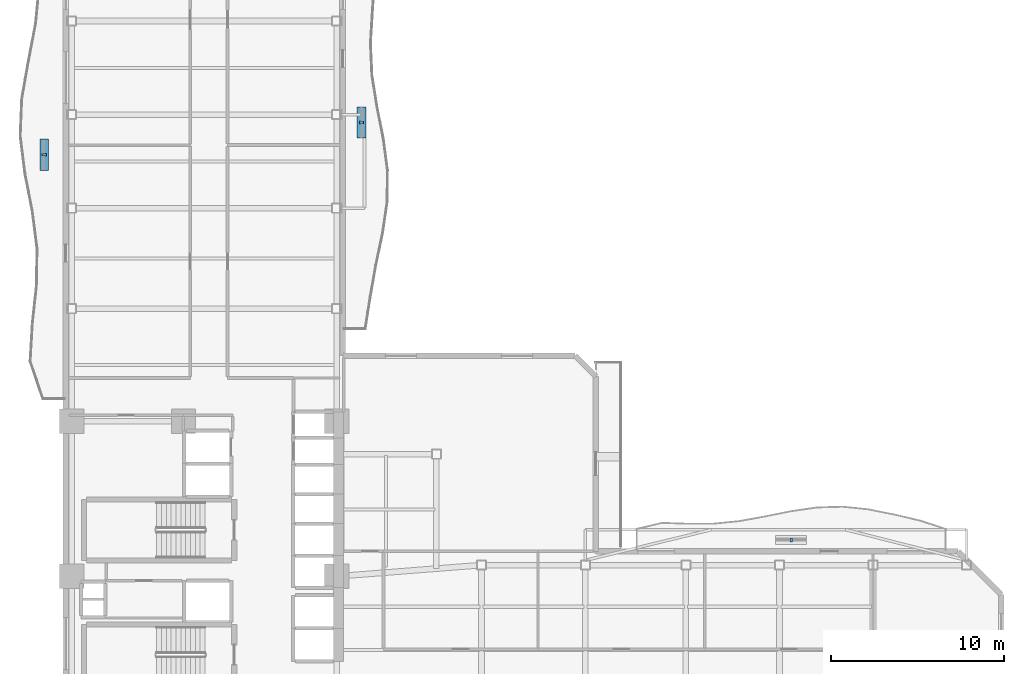
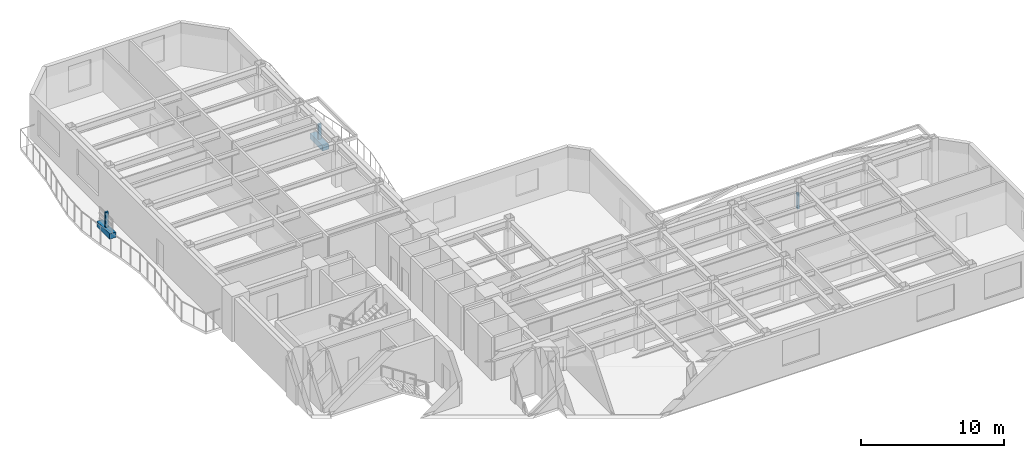
# One storey, part 7 of 10: 5 discrete accessories.
"""IFC4 building model written with IfcOpenShell, lengths in metres."""

import ifcopenshell
import ifcopenshell.guid

model = None  # the IFC model being written
_history = None  # IfcOwnerHistory: only IFC2X3 demands one
_inside = {}  # id of a spatial element -> (the spatial element, [elements in it])
_under = {}  # id of a project, library or spatial element -> (it, [spatial elements below it])
_declared = {}  # id of a project -> (the project, [libraries it declares])
_typed = {}  # id of a type object -> (the type object, [elements of that type])
_made_of = {}  # id of a material, layer set ... -> (it, [elements and type objects made of it])


def new_model(schema):
    """Start an empty IFC model of exactly this schema.

    Asked for "IFC4X3", IfcOpenShell would pick the latest addendum, in which some entities
    have other attributes; the version numbers below select the first issue.
    IFC2X3 requires an IfcOwnerHistory on every rooted entity: one is made here for all.
    """
    global model, _history
    if schema == "IFC4X3":
        model = ifcopenshell.file(schema_version=(4, 3, 0, 0))
    else:
        model = ifcopenshell.file(schema=schema)
    _inside.clear()
    _under.clear()
    _declared.clear()
    _typed.clear()
    _made_of.clear()
    _history = None
    if model.schema == "IFC2X3":
        org = make("IfcOrganization", Name="unknown")
        user = make(
            "IfcPersonAndOrganization",
            ThePerson=make("IfcPerson", FamilyName="unknown"),
            TheOrganization=org,
        )
        app = make(
            "IfcApplication",
            ApplicationDeveloper=org,
            Version="unknown",
            ApplicationFullName="unknown",
            ApplicationIdentifier="unknown",
        )
        _history = make(
            "IfcOwnerHistory",
            OwningUser=user,
            OwningApplication=app,
            ChangeAction="ADDED",
            CreationDate=0,
        )
    return model


def make(cls, **values):
    """One entity of the class cls with the attributes given. An attribute that is None is left unset."""
    return model.create_entity(
        cls, **{name: value for name, value in values.items() if value is not None}
    )


def rooted(cls, **values):
    """An entity with a GlobalId (a new one), such as an element, a storey or a relation."""
    return make(cls, GlobalId=ifcopenshell.guid.new(), OwnerHistory=_history, **values)


def si_unit(unit_type, name, prefix=None):
    """IfcSIUnit, for example si_unit("LENGTHUNIT", "METRE", prefix="MILLI")."""
    return make("IfcSIUnit", UnitType=unit_type, Prefix=prefix, Name=name)


def assignment(units):
    """IfcUnitAssignment: the units of a project."""
    return None if units is None else make("IfcUnitAssignment", Units=units)


def point(xyz):
    """IfcCartesianPoint."""
    return None if xyz is None else make("IfcCartesianPoint", Coordinates=xyz)


def direction(xyz):
    """IfcDirection."""
    return None if xyz is None else make("IfcDirection", DirectionRatios=xyz)


def frame(location, z_axis=None, x_axis=None):
    """IfcAxis2Placement3D, a coordinate frame: its origin and axes. An axis left out is left unset."""
    return make(
        "IfcAxis2Placement3D",
        Location=point(location),
        Axis=direction(z_axis),
        RefDirection=direction(x_axis),
    )


def frame_2d(location, x_axis=None):
    """IfcAxis2Placement2D, a coordinate frame in the plane: its origin and x axis."""
    return make(
        "IfcAxis2Placement2D", Location=point(location), RefDirection=direction(x_axis)
    )


def origin():
    """The frame at (0, 0, 0) with its axes left unset."""
    return frame((0.0, 0.0, 0.0))


def origin_2d():
    """The frame at (0, 0) in the plane with its x axis left unset."""
    return frame_2d((0.0, 0.0))


def place(relative_to, where):
    """IfcLocalPlacement: puts the frame where relative to a parent placement (None: the world)."""
    return make(
        "IfcLocalPlacement", PlacementRelTo=relative_to, RelativePlacement=where
    )


def context(
    kind, dimensions, precision=None, world=None, true_north=None, identifier=None
):
    """IfcGeometricRepresentationContext, for example the 3D "Model" context."""
    return make(
        "IfcGeometricRepresentationContext",
        ContextIdentifier=identifier,
        ContextType=kind,
        CoordinateSpaceDimension=dimensions,
        Precision=precision,
        WorldCoordinateSystem=world,
        TrueNorth=true_north,
    )


def subcontext(parent, identifier, kind, view, scale=None):
    """IfcGeometricRepresentationSubContext, for example "Body" below "Model"."""
    return make(
        "IfcGeometricRepresentationSubContext",
        ContextIdentifier=identifier,
        ContextType=kind,
        ParentContext=parent,
        TargetScale=scale,
        TargetView=view,
    )


def project(units=None, contexts=None):
    """IfcProject with its units and contexts."""
    return rooted(
        "IfcProject",
        Name="project",
        RepresentationContexts=contexts,
        UnitsInContext=assignment(units),
    )


def spatial(cls, under=None, at=None, **own):
    """A site, building, storey or space (cls), placed at a placement, below another one or the project."""
    s = rooted(cls, ObjectPlacement=at, **own)
    if under is not None:
        _under.setdefault(under.id(), (under, []))[1].append(s)
    return s


def profile(cls, at=None, kind="AREA", **sizes):
    """A parametric profile (cls). Its sizes go by their IFC names, for example OverallWidth=200.0."""
    return make(cls, ProfileType=kind, Position=at, **sizes)


def rectangle(**sizes):
    """IfcRectangleProfileDef."""
    return profile("IfcRectangleProfileDef", **sizes)


def extrude(swept, where, along, depth):
    """IfcExtrudedAreaSolid: the profile swept, set in the frame where, extruded along a direction by depth."""
    return make(
        "IfcExtrudedAreaSolid",
        SweptArea=swept,
        Position=where,
        ExtrudedDirection=direction(along),
        Depth=depth,
    )


def shape(context_of_items, identifier, shape_type, items):
    """IfcShapeRepresentation: the items that make up one representation, for example the "Body"."""
    return make(
        "IfcShapeRepresentation",
        ContextOfItems=context_of_items,
        RepresentationIdentifier=identifier,
        RepresentationType=shape_type,
        Items=items,
    )


def material(Name=None, Category=None):
    """IfcMaterial."""
    return make("IfcMaterial", Name=Name, Category=Category)


def made_of(thing, what):
    """Note that an element or type object is made of a material, layer set ...; save() writes the relation."""
    if what is not None:
        _made_of.setdefault(what.id(), (what, []))[1].append(thing)
    return thing


def type_object(cls, material=None, **own):
    """A type object (cls), such as IfcWallType, which elements share."""
    return made_of(rooted(cls, **own), material)


def element(
    cls,
    number,
    at=None,
    inside=None,
    cuts=None,
    type_object=None,
    material=None,
    context=None,
    identifier="Body",
    shape_type=None,
    held_by="IfcProductDefinitionShape",
    body=None,
    shapes=None,
    **own,
):
    """One element of the class cls, such as IfcWall. Its Tag is "e" and its number.

    at: its placement. inside: the storey or other place that contains it. cuts: it is an
    opening in that element (IfcRelVoidsElement). A single representation is given by context,
    identifier, shape_type and body (its items); several are given by shapes. held_by: the class
    of the entity that holds the representations. save() writes the other relations.
    """
    e = rooted(cls, Tag="e%d" % number, ObjectPlacement=at, **own)
    if body is not None:
        shapes = [shape(context, identifier, shape_type, body)]
    if shapes is not None:
        e.Representation = make(held_by, Representations=shapes)
    if inside is not None:
        _inside.setdefault(inside.id(), (inside, []))[1].append(e)
    if cuts is not None:
        rooted(
            "IfcRelVoidsElement", RelatingBuildingElement=cuts, RelatedOpeningElement=e
        )
    if type_object is not None:
        _typed.setdefault(type_object.id(), (type_object, []))[1].append(e)
    return made_of(e, material)


def aggregate(whole, parts):
    """IfcRelAggregates: a whole, such as a stair, and the parts it consists of."""
    return rooted("IfcRelAggregates", RelatingObject=whole, RelatedObjects=parts)


def save(model, path):
    """Write the relations noted so far, then the file.

    IfcRelAggregates (storeys below a building ...), IfcRelContainedInSpatialStructure (elements
    in a storey), IfcRelDefinesByType, IfcRelAssociatesMaterial and IfcRelDeclares: one each for
    every whole, place, type object, material and project.
    """
    for whole, parts in _under.values():
        aggregate(whole, parts)
    for where, things in _inside.values():
        rooted(
            "IfcRelContainedInSpatialStructure",
            RelatedElements=things,
            RelatingStructure=where,
        )
    for kind, things in _typed.values():
        rooted("IfcRelDefinesByType", RelatedObjects=things, RelatingType=kind)
    for what, things in _made_of.values():
        rooted("IfcRelAssociatesMaterial", RelatedObjects=things, RelatingMaterial=what)
    for by, libraries in _declared.values():
        rooted("IfcRelDeclares", RelatingContext=by, RelatedDefinitions=libraries)
    model.write(path)


model = new_model("IFC4")

# Units and contexts
model_context = context("Model", 3, precision=1e-05, world=origin(), true_north=direction((0.0, 1.0)))
body_context = subcontext(model_context, "Body", "Model", "MODEL_VIEW")
ifc_project = project(units=[si_unit("LENGTHUNIT", "METRE"), si_unit("AREAUNIT", "SQUARE_METRE"), si_unit("VOLUMEUNIT", "CUBIC_METRE"), si_unit("PLANEANGLEUNIT", "RADIAN"), si_unit("MASSUNIT", "GRAM", prefix="KILO")], contexts=[model_context])

# Site, building, storey
site_placement = place(None, origin())
site = spatial("IfcSite", under=ifc_project, at=site_placement, CompositionType="ELEMENT")
building_placement = place(site_placement, origin())
building = spatial("IfcBuilding", under=site, at=building_placement, Name="Mawjaban Terraces University", CompositionType="ELEMENT")
storey_placement = place(building_placement, frame((0.0, 0.0, 50.5)))
storey = spatial("IfcBuildingStorey", under=building, at=storey_placement, Name="L11", CompositionType="ELEMENT", Elevation=50.5)

# Discrete accessories
ifc_material_1 = material(Name="Stainless steel 316L", Category="steel")
discrete_accessory_type_1 = type_object("IfcDiscreteAccessoryType", Name="FacadeScreenBracket_Steel", PredefinedType="BRACKET", material=ifc_material_1)
for number, where, z_axis, x_axis, name in (
    (1, (20.76904296875, 38.883056640625, 0.419921875), (0.0, 0.0, 1.0), (0.0, 1.0, 0.0), "L11 Balcony Screen Support Bracket west"),
    (2, (63.875, 16.64501953125, 0.419921875), (0.0, 0.0, 1.0), (1.0, 0.0, 0.0), "L11 Balcony Screen Support Bracket inner_north"),
    (3, (39.074951171875, 40.738037109375, 0.419921875), (0.0, 0.0, 1.0), (0.0, 1.0, 0.0), "L11 Balcony Screen Support Bracket inner_east"),
):
    element("IfcDiscreteAccessory", number, at=place(storey_placement, frame(where, z_axis=z_axis, x_axis=x_axis)), inside=storey, type_object=discrete_accessory_type_1, Name=name, PredefinedType="BRACKET", context=body_context, shape_type="SweptSolid", body=[
        extrude(rectangle(XDim=0.159912109375, YDim=0.239990234375, at=origin_2d()), origin(), (0.0, 0.0, 1.0), 1.300048828125),
    ])
ifc_material_2 = material(Name="Precast architectural terracotta planter with engineered planting soil", Category="masonry")
discrete_accessory_type_2 = type_object("IfcDiscreteAccessoryType", Name="IrrigatedPlanterTrough_450", PredefinedType="USERDEFINED", material=ifc_material_2)
for number, where, z_axis, x_axis, name in (
    (4, (20.76904296875, 38.883056640625, -0.0048828125), (0.0, 0.0, 1.0), (0.0, 1.0, 0.0), "L11 Balcony Irrigated Planter west"),
    (5, (39.074951171875, 40.738037109375, -0.0048828125), (0.0, 0.0, 1.0), (0.0, 1.0, 0.0), "L11 Balcony Irrigated Planter inner_east"),
):
    element("IfcDiscreteAccessory", number, at=place(storey_placement, frame(where, z_axis=z_axis, x_axis=x_axis)), inside=storey, type_object=discrete_accessory_type_2, Name=name, ObjectType="PLANTER", PredefinedType="USERDEFINED", context=body_context, shape_type="SweptSolid", body=[
        extrude(rectangle(XDim=1.800048828125, YDim=0.5, at=origin_2d()), origin(), (0.0, 0.0, 1.0), 0.449951171875),
    ])

save(model, "model.ifc")
